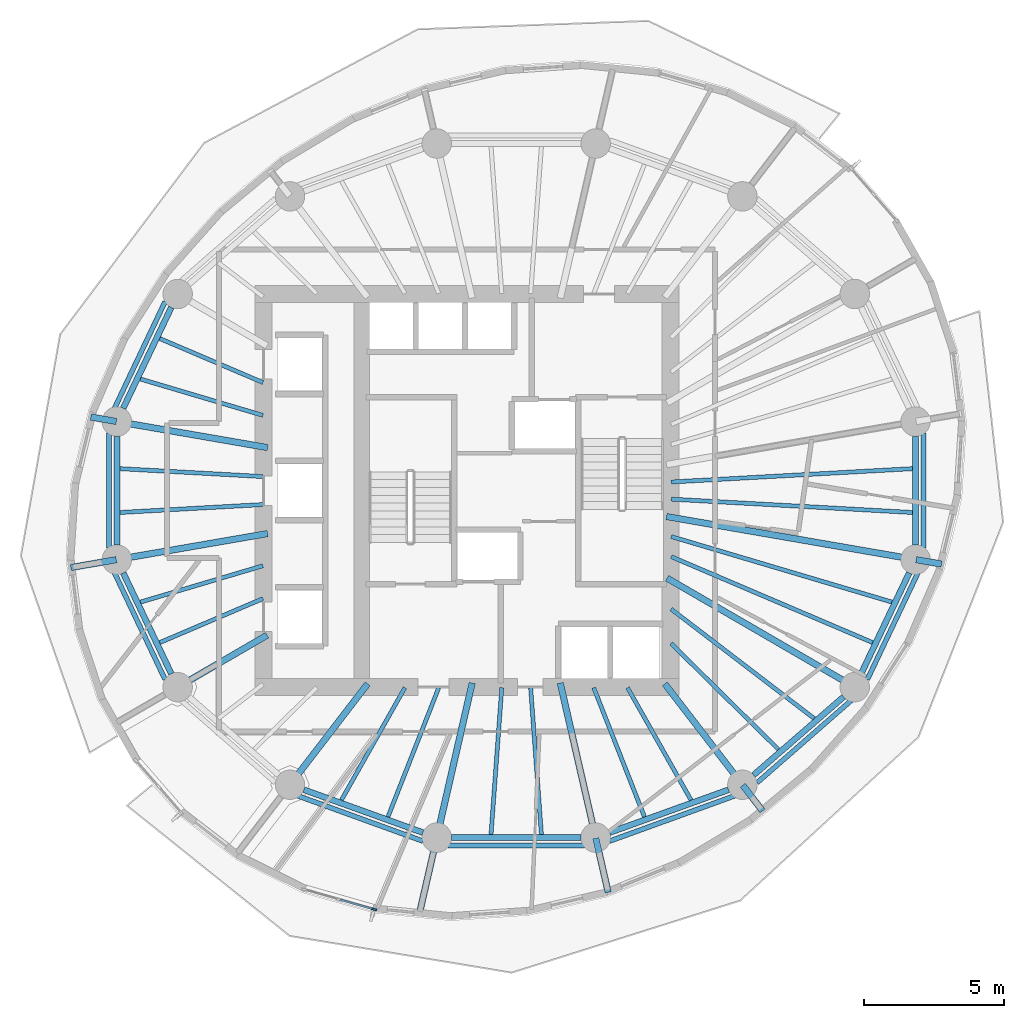
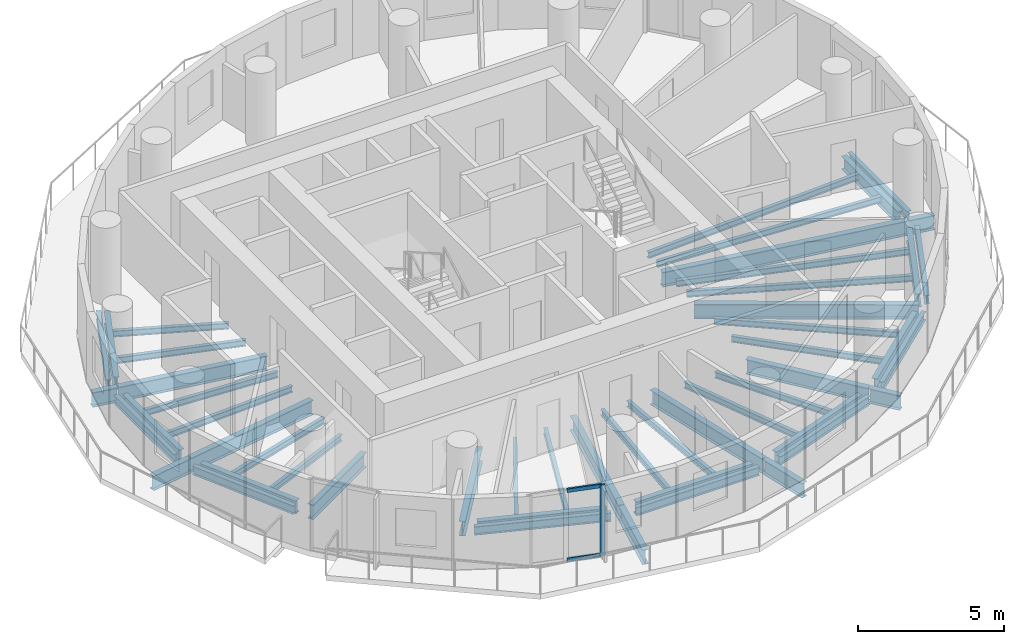
# One storey, part 2 of 12: 51 beams, 3 members, 1 element without a shape of its own.
"""IFC4 building model written with IfcOpenShell, lengths in metres."""

from ifc_helpers import new_model, si_unit, direction, frame, origin, origin_2d, place, context, subcontext, project, spatial, rectangle, i_section, extrude, material, material_profile, profile_set, type_object, element, aggregate, save


model = new_model("IFC4")

# Units and contexts
model_context = context("Model", 3, precision=1e-05, world=origin(), true_north=direction((0.0, 1.0)))
body_context = subcontext(model_context, "Body", "Model", "MODEL_VIEW")
ifc_project = project(units=[si_unit("LENGTHUNIT", "METRE"), si_unit("AREAUNIT", "SQUARE_METRE"), si_unit("VOLUMEUNIT", "CUBIC_METRE"), si_unit("PLANEANGLEUNIT", "RADIAN"), si_unit("MASSUNIT", "GRAM", prefix="KILO")], contexts=[model_context])

# Site, building, storey
site_placement = place(None, origin())
site = spatial("IfcSite", under=ifc_project, at=site_placement, CompositionType="ELEMENT")
building_placement = place(site_placement, origin())
building = spatial("IfcBuilding", under=site, at=building_placement, Name="Veldorim Arch Residences", CompositionType="ELEMENT")
storey_placement = place(building_placement, frame((0.0, 0.0, 148.9599609375)))
storey = spatial("IfcBuildingStorey", under=building, at=storey_placement, Name="L44", CompositionType="ELEMENT", Elevation=148.9599609375)

# Beams
ifc_material_1 = material(Name="Steel S355", Category="steel")
ifc_material_profile_1 = material_profile(ifc_material_1, i_section(OverallWidth=0.2099609375, OverallDepth=0.53662109375, WebThickness=0.0107421875, FlangeThickness=0.017333984375, at=origin_2d()), Name="UB533x210x101")
ifc_profile_set_1 = profile_set([ifc_material_profile_1], Name="Steel S355")
beam_type_1 = type_object("IfcBeamType", Name="Structural Steel Beam UB533x210x101", PredefinedType="BEAM", material=ifc_profile_set_1)
beam_1_placement = place(storey_placement, frame((19.7177734375, 30.5263671875, -0.50830078125), z_axis=(-0.43028577851, -0.902692721147, 0.0), x_axis=(0.902692721147, -0.43028577851, 0.0)))
element("IfcBeam", 1, at=beam_1_placement, inside=storey, type_object=beam_type_1, Name="L44 perimeter ring tie beam 07", PredefinedType="BEAM", context=body_context, shape_type="SweptSolid", body=[
    extrude(i_section(OverallWidth=0.2099609375, OverallDepth=0.53662109375, WebThickness=0.0107421875, FlangeThickness=0.017333984375, at=origin_2d()), origin(), (0.0, 0.0, 1.0), 3.98193359375),
])
beam_2_placement = place(storey_placement, frame((17.778564453125, 25.93310546875, -0.50830078125), z_axis=(0.0, -1.0, 0.0), x_axis=(1.0, 0.0, 0.0)))
element("IfcBeam", 2, at=beam_2_placement, inside=storey, type_object=beam_type_1, Name="L44 perimeter ring tie beam 08", PredefinedType="BEAM", context=body_context, shape_type="SweptSolid", body=[
    extrude(i_section(OverallWidth=0.2099609375, OverallDepth=0.53662109375, WebThickness=0.0107421875, FlangeThickness=0.017333984375, at=origin_2d()), origin(), (0.0, 0.0, 1.0), 3.8662109375),
])
beam_3_placement = place(storey_placement, frame((18.00439453125, 21.068115234375, -0.50830078125), z_axis=(0.43028577851, -0.902692721147, 0.0), x_axis=(0.902692721147, 0.43028577851, 0.0)))
element("IfcBeam", 3, at=beam_3_placement, inside=storey, type_object=beam_type_1, Name="L44 perimeter ring tie beam 09", PredefinedType="BEAM", context=body_context, shape_type="SweptSolid", body=[
    extrude(i_section(OverallWidth=0.2099609375, OverallDepth=0.53662109375, WebThickness=0.0107421875, FlangeThickness=0.017333984375, at=origin_2d()), origin(), (0.0, 0.0, 1.0), 3.98193359375),
])
beam_4_placement = place(storey_placement, frame((24.438232421875, 13.345703125, -0.50830078125), z_axis=(0.940899155006, -0.338686846673, 0.0), x_axis=(0.338686846673, 0.940899155006, 0.0)))
element("IfcBeam", 4, at=beam_4_placement, inside=storey, type_object=beam_type_1, Name="L44 perimeter ring tie beam 11", PredefinedType="BEAM", context=body_context, shape_type="SweptSolid", body=[
    extrude(i_section(OverallWidth=0.2099609375, OverallDepth=0.53662109375, WebThickness=0.0107421875, FlangeThickness=0.017333984375, at=origin_2d()), origin(), (0.0, 0.0, 1.0), 4.50537109375),
])
beam_5_placement = place(storey_placement, frame((29.6962890625, 11.64208984375, -0.50830078125), z_axis=(1.0, 0.0, 0.0), x_axis=(0.0, 1.0, 0.0)))
element("IfcBeam", 5, at=beam_5_placement, inside=storey, type_object=beam_type_1, Name="L44 perimeter ring tie beam 12", PredefinedType="BEAM", context=body_context, shape_type="SweptSolid", body=[
    extrude(i_section(OverallWidth=0.2099609375, OverallDepth=0.53662109375, WebThickness=0.0107421875, FlangeThickness=0.017333984375, at=origin_2d()), origin(), (0.0, 0.0, 1.0), 4.607421875),
])
beam_6_placement = place(storey_placement, frame((35.32275390625, 11.81982421875, -0.50830078125), z_axis=(0.940899155006, 0.338686846673, 0.0), x_axis=(-0.338686846673, 0.940899155006, 0.0)))
element("IfcBeam", 6, at=beam_6_placement, inside=storey, type_object=beam_type_1, Name="L44 perimeter ring tie beam 13", PredefinedType="BEAM", context=body_context, shape_type="SweptSolid", body=[
    extrude(i_section(OverallWidth=0.2099609375, OverallDepth=0.53662109375, WebThickness=0.0107421875, FlangeThickness=0.017333984375, at=origin_2d()), origin(), (0.0, 0.0, 1.0), 4.50537109375),
])
beam_7_placement = place(storey_placement, frame((40.4521484375, 13.867919921875, -0.50830078125), z_axis=(0.754810789581, 0.655942582802, 0.0), x_axis=(-0.655942582802, 0.754810789581, 0.0)))
element("IfcBeam", 7, at=beam_7_placement, inside=storey, type_object=beam_type_1, Name="L44 perimeter ring tie beam 14", PredefinedType="BEAM", context=body_context, shape_type="SweptSolid", body=[
    extrude(i_section(OverallWidth=0.2099609375, OverallDepth=0.53662109375, WebThickness=0.0107421875, FlangeThickness=0.017333984375, at=origin_2d()), origin(), (0.0, 0.0, 1.0), 4.249755859375),
])
beam_8_placement = place(storey_placement, frame((44.2822265625, 17.4736328125, -0.50830078125), z_axis=(0.43028577851, 0.902692721147, 0.0), x_axis=(-0.902692721147, 0.43028577851, 0.0)))
element("IfcBeam", 8, at=beam_8_placement, inside=storey, type_object=beam_type_1, Name="L44 perimeter ring tie beam 15", PredefinedType="BEAM", context=body_context, shape_type="SweptSolid", body=[
    extrude(i_section(OverallWidth=0.2099609375, OverallDepth=0.53662109375, WebThickness=0.0107421875, FlangeThickness=0.017333984375, at=origin_2d()), origin(), (0.0, 0.0, 1.0), 3.98193359375),
])
beam_9_placement = place(storey_placement, frame((46.221435546875, 22.06689453125, -0.50830078125), z_axis=(0.0, 1.0, 0.0), x_axis=(-1.0, 0.0, 0.0)))
element("IfcBeam", 9, at=beam_9_placement, inside=storey, type_object=beam_type_1, Name="L44 perimeter ring tie beam 16", PredefinedType="BEAM", context=body_context, shape_type="SweptSolid", body=[
    extrude(i_section(OverallWidth=0.2099609375, OverallDepth=0.53662109375, WebThickness=0.0107421875, FlangeThickness=0.017333984375, at=origin_2d()), origin(), (0.0, 0.0, 1.0), 3.8662109375),
])
ifc_material_2 = material(Name="Steel S355", Category="steel")
ifc_material_profile_2 = material_profile(ifc_material_2, i_section(OverallWidth=0.22900390625, OverallDepth=0.6123046875, WebThickness=0.011962890625, FlangeThickness=0.01953125, at=origin_2d()), Name="UB610x229x125")
ifc_profile_set_2 = profile_set([ifc_material_profile_2], Name="Steel S355")
beam_type_2 = type_object("IfcBeamType", Name="Structural Steel Beam UB610x229x125", PredefinedType="BEAM", material=ifc_profile_set_2)
beam_10_placement = place(storey_placement, frame((23.147705078125, 25.530029296875, -0.546142578125), z_axis=(-0.985390445301, 0.170310511449, 0.0), x_axis=(-0.170310511449, -0.985390445301, 0.0)))
element("IfcBeam", 10, at=beam_10_placement, inside=storey, type_object=beam_type_2, Name="L44 radial floor girder 08", PredefinedType="BEAM", context=body_context, shape_type="SweptSolid", body=[
    extrude(i_section(OverallWidth=0.22900390625, OverallDepth=0.6123046875, WebThickness=0.011962890625, FlangeThickness=0.01953125, at=origin_2d()), origin(), (0.0, 0.0, 1.0), 5.4287109375),
])
beam_11_placement = place(storey_placement, frame((17.7587890625, 26.46142578125, -0.546142578125), z_axis=(-0.985365065933, 0.170457287435, 0.0), x_axis=(-0.170457287435, -0.985365065933, 0.0)))
element("IfcBeam", 11, at=beam_11_placement, inside=storey, type_object=beam_type_2, Name="L44 radial edge cantilever girder 08", PredefinedType="BEAM", context=body_context, shape_type="SweptSolid", body=[
    extrude(i_section(OverallWidth=0.22900390625, OverallDepth=0.6123046875, WebThickness=0.011962890625, FlangeThickness=0.01953125, at=origin_2d()), origin(), (0.0, 0.0, 1.0), 0.9208984375),
])
beam_12_placement = place(storey_placement, frame((23.147705078125, 22.469970703125, -0.546142578125), z_axis=(-0.985390445301, -0.170310511449, 0.0), x_axis=(0.170310511449, -0.985390445301, 0.0)))
element("IfcBeam", 12, at=beam_12_placement, inside=storey, type_object=beam_type_2, Name="L44 radial floor girder 09", PredefinedType="BEAM", context=body_context, shape_type="SweptSolid", body=[
    extrude(i_section(OverallWidth=0.22900390625, OverallDepth=0.6123046875, WebThickness=0.011962890625, FlangeThickness=0.01953125, at=origin_2d()), origin(), (0.0, 0.0, 1.0), 5.4287109375),
])
beam_13_placement = place(storey_placement, frame((17.7587890625, 21.53857421875, -0.546142578125), z_axis=(-0.985387945346, -0.170324975168, 0.0), x_axis=(0.170324975168, -0.985387945346, 0.0)))
element("IfcBeam", 13, at=beam_13_placement, inside=storey, type_object=beam_type_2, Name="L44 radial edge cantilever girder 09", PredefinedType="BEAM", context=body_context, shape_type="SweptSolid", body=[
    extrude(i_section(OverallWidth=0.22900390625, OverallDepth=0.6123046875, WebThickness=0.011962890625, FlangeThickness=0.01953125, at=origin_2d()), origin(), (0.0, 0.0, 1.0), 1.642578125),
])
beam_14_placement = place(storey_placement, frame((23.129638671875, 18.849609375, -0.546142578125), z_axis=(-0.864794546612, -0.502125872815, 0.0), x_axis=(0.502125872815, -0.864794546612, 0.0)))
element("IfcBeam", 14, at=beam_14_placement, inside=storey, type_object=beam_type_2, Name="L44 radial floor girder 10", PredefinedType="BEAM", context=body_context, shape_type="SweptSolid", body=[
    extrude(i_section(OverallWidth=0.22900390625, OverallDepth=0.6123046875, WebThickness=0.011962890625, FlangeThickness=0.01953125, at=origin_2d()), origin(), (0.0, 0.0, 1.0), 3.6640625),
])
beam_15_placement = place(storey_placement, frame((26.708740234375, 17.118896484375, -0.546142578125), z_axis=(-0.609559199361, -0.792740551804, 0.0), x_axis=(0.792740551804, -0.609559199361, 0.0)))
element("IfcBeam", 15, at=beam_15_placement, inside=storey, type_object=beam_type_2, Name="L44 radial floor girder 11", PredefinedType="BEAM", context=body_context, shape_type="SweptSolid", body=[
    extrude(i_section(OverallWidth=0.22900390625, OverallDepth=0.6123046875, WebThickness=0.011962890625, FlangeThickness=0.01953125, at=origin_2d()), origin(), (0.0, 0.0, 1.0), 4.515380859375),
])
beam_16_placement = place(storey_placement, frame((30.43115234375, 17.146240234375, -0.546142578125), z_axis=(-0.223119342184, -0.974791136164, 0.0), x_axis=(0.974791136164, -0.223119342184, 0.0)))
element("IfcBeam", 16, at=beam_16_placement, inside=storey, type_object=beam_type_2, Name="L44 radial floor girder 12", PredefinedType="BEAM", context=body_context, shape_type="SweptSolid", body=[
    extrude(i_section(OverallWidth=0.22900390625, OverallDepth=0.6123046875, WebThickness=0.011962890625, FlangeThickness=0.01953125, at=origin_2d()), origin(), (0.0, 0.0, 1.0), 5.62646484375),
])
beam_17_placement = place(storey_placement, frame((29.166748046875, 11.62255859375, -0.546142578125), z_axis=(-0.223160890879, -0.974781625177, 0.0), x_axis=(0.974781625177, -0.223160890879, 0.0)))
element("IfcBeam", 17, at=beam_17_placement, inside=storey, type_object=beam_type_2, Name="L44 radial edge cantilever girder 12", PredefinedType="BEAM", context=body_context, shape_type="SweptSolid", body=[
    extrude(i_section(OverallWidth=0.22900390625, OverallDepth=0.6123046875, WebThickness=0.011962890625, FlangeThickness=0.01953125, at=origin_2d()), origin(), (0.0, 0.0, 1.0), 2.76123046875),
])
beam_18_placement = place(storey_placement, frame((33.56884765625, 17.146240234375, -0.546142578125), z_axis=(0.223119342184, -0.974791136164, 0.0), x_axis=(0.974791136164, 0.223119342184, 0.0)))
element("IfcBeam", 18, at=beam_18_placement, inside=storey, type_object=beam_type_2, Name="L44 radial floor girder 13", PredefinedType="BEAM", context=body_context, shape_type="SweptSolid", body=[
    extrude(i_section(OverallWidth=0.22900390625, OverallDepth=0.6123046875, WebThickness=0.011962890625, FlangeThickness=0.01953125, at=origin_2d()), origin(), (0.0, 0.0, 1.0), 5.62646484375),
])
beam_19_placement = place(storey_placement, frame((34.833251953125, 11.62255859375, -0.546142578125), z_axis=(0.223166267833, -0.974780394192, 0.0), x_axis=(0.974780394192, 0.223166267833, 0.0)))
element("IfcBeam", 19, at=beam_19_placement, inside=storey, type_object=beam_type_2, Name="L44 radial edge cantilever girder 13", PredefinedType="BEAM", context=body_context, shape_type="SweptSolid", body=[
    extrude(i_section(OverallWidth=0.22900390625, OverallDepth=0.6123046875, WebThickness=0.011962890625, FlangeThickness=0.01953125, at=origin_2d()), origin(), (0.0, 0.0, 1.0), 1.980224609375),
])
beam_20_placement = place(storey_placement, frame((37.291259765625, 17.118896484375, -0.546142578125), z_axis=(0.609559199361, -0.792740551804, 0.0), x_axis=(0.792740551804, 0.609559199361, 0.0)))
element("IfcBeam", 20, at=beam_20_placement, inside=storey, type_object=beam_type_2, Name="L44 radial floor girder 14", PredefinedType="BEAM", context=body_context, shape_type="SweptSolid", body=[
    extrude(i_section(OverallWidth=0.22900390625, OverallDepth=0.6123046875, WebThickness=0.011962890625, FlangeThickness=0.01953125, at=origin_2d()), origin(), (0.0, 0.0, 1.0), 4.515380859375),
])
beam_21_placement = place(storey_placement, frame((40.068115234375, 13.507568359375, -0.546142578125), z_axis=(0.609587834317, -0.792718532805, 0.0), x_axis=(0.792718532805, 0.609587834317, 0.0)))
element("IfcBeam", 21, at=beam_21_placement, inside=storey, type_object=beam_type_2, Name="L44 radial edge cantilever girder 14", PredefinedType="BEAM", context=body_context, shape_type="SweptSolid", body=[
    extrude(i_section(OverallWidth=0.22900390625, OverallDepth=0.6123046875, WebThickness=0.011962890625, FlangeThickness=0.01953125, at=origin_2d()), origin(), (0.0, 0.0, 1.0), 1.15185546875),
])
beam_22_placement = place(storey_placement, frame((37.370361328125, 20.8818359375, -0.546142578125), z_axis=(0.864793381443, -0.502127879542, 0.0), x_axis=(0.502127879542, 0.864793381443, 0.0)))
element("IfcBeam", 22, at=beam_22_placement, inside=storey, type_object=beam_type_2, Name="L44 radial floor girder 15", PredefinedType="BEAM", context=body_context, shape_type="SweptSolid", body=[
    extrude(i_section(OverallWidth=0.22900390625, OverallDepth=0.6123046875, WebThickness=0.011962890625, FlangeThickness=0.01953125, at=origin_2d()), origin(), (0.0, 0.0, 1.0), 7.71142578125),
])
beam_23_placement = place(storey_placement, frame((37.352294921875, 23.074951171875, -0.546142578125), z_axis=(0.985389398766, -0.170316566427, 0.0), x_axis=(0.170316566427, 0.985389398766, 0.0)))
element("IfcBeam", 23, at=beam_23_placement, inside=storey, type_object=beam_type_2, Name="L44 radial floor girder 16", PredefinedType="BEAM", context=body_context, shape_type="SweptSolid", body=[
    extrude(i_section(OverallWidth=0.22900390625, OverallDepth=0.6123046875, WebThickness=0.011962890625, FlangeThickness=0.01953125, at=origin_2d()), origin(), (0.0, 0.0, 1.0), 8.98046875),
])
beam_24_placement = place(storey_placement, frame((46.2412109375, 21.53857421875, -0.546142578125), z_axis=(0.985365065933, -0.170457287435, 0.0), x_axis=(0.170457287435, 0.985365065933, 0.0)))
element("IfcBeam", 24, at=beam_24_placement, inside=storey, type_object=beam_type_2, Name="L44 radial edge cantilever girder 16", PredefinedType="BEAM", context=body_context, shape_type="SweptSolid", body=[
    extrude(i_section(OverallWidth=0.22900390625, OverallDepth=0.6123046875, WebThickness=0.011962890625, FlangeThickness=0.01953125, at=origin_2d()), origin(), (0.0, 0.0, 1.0), 0.9208984375),
])
ifc_material_3 = material(Name="Steel S355", Category="steel")
ifc_material_profile_3 = material_profile(ifc_material_3, i_section(OverallWidth=0.146484375, OverallDepth=0.256103515625, WebThickness=0.00634765625, FlangeThickness=0.010986328125, at=origin_2d()), Name="UB254x146x37")
ifc_profile_set_3 = profile_set([ifc_material_profile_3], Name="Steel S355")
beam_type_3 = type_object("IfcBeamType", Name="Structural Steel Joist UB254x146x37", PredefinedType="JOIST", material=ifc_profile_set_3)
beam_25_placement = place(storey_placement, frame((22.981689453125, 27.84619140625, -0.367919921875), z_axis=(-0.919823469329, 0.392332493265, 0.0), x_axis=(-0.392332493265, -0.919823469329, 0.0)))
element("IfcBeam", 25, at=beam_25_placement, inside=storey, type_object=beam_type_3, Name="L44 secondary radial floor joist 07-1", PredefinedType="JOIST", context=body_context, shape_type="SweptSolid", body=[
    extrude(i_section(OverallWidth=0.146484375, OverallDepth=0.256103515625, WebThickness=0.00634765625, FlangeThickness=0.010986328125, at=origin_2d()), origin(), (0.0, 0.0, 1.0), 3.993896484375),
])
beam_26_placement = place(storey_placement, frame((22.980712890625, 26.677001953125, -0.367919921875), z_axis=(-0.95868163277, 0.284481154014, 0.0), x_axis=(-0.284481154014, -0.95868163277, 0.0)))
element("IfcBeam", 26, at=beam_26_placement, inside=storey, type_object=beam_type_3, Name="L44 secondary radial floor joist 07-2", PredefinedType="JOIST", context=body_context, shape_type="SweptSolid", body=[
    extrude(i_section(OverallWidth=0.146484375, OverallDepth=0.256103515625, WebThickness=0.00634765625, FlangeThickness=0.010986328125, at=origin_2d()), origin(), (0.0, 0.0, 1.0), 4.54931640625),
])
for number, where, z_axis, x_axis, name in (
    (27, (22.97998046875, 24.498779296875, -0.367919921875), (-0.998472994317, 0.055242009562, 0.0), (-0.055242009562, -0.998472994317, 0.0), "L44 secondary radial floor joist 08-1"),
    (28, (22.97998046875, 23.501220703125, -0.367919921875), (-0.998472994317, -0.055242009562, 0.0), (0.055242009562, -0.998472994317, 0.0), "L44 secondary radial floor joist 08-2"),
):
    element("IfcBeam", number, at=place(storey_placement, frame(where, z_axis=z_axis, x_axis=x_axis)), inside=storey, type_object=beam_type_3, Name=name, PredefinedType="JOIST", context=body_context, shape_type="SweptSolid", body=[
        extrude(i_section(OverallWidth=0.146484375, OverallDepth=0.256103515625, WebThickness=0.00634765625, FlangeThickness=0.010986328125, at=origin_2d()), origin(), (0.0, 0.0, 1.0), 5.10009765625),
    ])
beam_27_placement = place(storey_placement, frame((22.980712890625, 21.322998046875, -0.367919921875), z_axis=(-0.95868163277, -0.284481154014, 0.0), x_axis=(0.284481154014, -0.95868163277, 0.0)))
element("IfcBeam", 29, at=beam_27_placement, inside=storey, type_object=beam_type_3, Name="L44 secondary radial floor joist 09-1", PredefinedType="JOIST", context=body_context, shape_type="SweptSolid", body=[
    extrude(i_section(OverallWidth=0.146484375, OverallDepth=0.256103515625, WebThickness=0.00634765625, FlangeThickness=0.010986328125, at=origin_2d()), origin(), (0.0, 0.0, 1.0), 4.54931640625),
])
beam_28_placement = place(storey_placement, frame((22.981689453125, 20.15380859375, -0.367919921875), z_axis=(-0.919823469329, -0.392332493265, 0.0), x_axis=(0.392332493265, -0.919823469329, 0.0)))
element("IfcBeam", 30, at=beam_28_placement, inside=storey, type_object=beam_type_3, Name="L44 secondary radial floor joist 09-2", PredefinedType="JOIST", context=body_context, shape_type="SweptSolid", body=[
    extrude(i_section(OverallWidth=0.146484375, OverallDepth=0.256103515625, WebThickness=0.00634765625, FlangeThickness=0.010986328125, at=origin_2d()), origin(), (0.0, 0.0, 1.0), 3.993896484375),
])
beam_29_placement = place(storey_placement, frame((28.03662109375, 16.982666015625, -0.367919921875), z_axis=(-0.491815801586, -0.870699269157, 0.0), x_axis=(0.870699269157, -0.491815801586, 0.0)))
element("IfcBeam", 31, at=beam_29_placement, inside=storey, type_object=beam_type_3, Name="L44 secondary radial floor joist 11-1", PredefinedType="JOIST", context=body_context, shape_type="SweptSolid", body=[
    extrude(i_section(OverallWidth=0.146484375, OverallDepth=0.256103515625, WebThickness=0.00634765625, FlangeThickness=0.010986328125, at=origin_2d()), origin(), (0.0, 0.0, 1.0), 4.59814453125),
])
beam_30_placement = place(storey_placement, frame((29.2412109375, 16.9814453125, -0.367919921875), z_axis=(-0.365777738491, -0.930702232739, 0.0), x_axis=(0.930702232739, -0.365777738491, 0.0)))
element("IfcBeam", 32, at=beam_30_placement, inside=storey, type_object=beam_type_3, Name="L44 secondary radial floor joist 11-2", PredefinedType="JOIST", context=body_context, shape_type="SweptSolid", body=[
    extrude(i_section(OverallWidth=0.146484375, OverallDepth=0.256103515625, WebThickness=0.00634765625, FlangeThickness=0.010986328125, at=origin_2d()), origin(), (0.0, 0.0, 1.0), 4.9404296875),
])
for number, where, z_axis, x_axis, name in (
    (33, (31.48583984375, 16.97998046875, -0.367919921875), (-0.073060364166, -0.997327520521, 0.0), (0.997327520521, -0.073060364166, 0.0), "L44 secondary radial floor joist 12-1"),
    (34, (32.51416015625, 16.97998046875, -0.367919921875), (0.073060364166, -0.997327520521, 0.0), (0.997327520521, 0.073060364166, 0.0), "L44 secondary radial floor joist 12-2"),
):
    element("IfcBeam", number, at=place(storey_placement, frame(where, z_axis=z_axis, x_axis=x_axis)), inside=storey, type_object=beam_type_3, Name=name, PredefinedType="JOIST", context=body_context, shape_type="SweptSolid", body=[
        extrude(i_section(OverallWidth=0.146484375, OverallDepth=0.256103515625, WebThickness=0.00634765625, FlangeThickness=0.010986328125, at=origin_2d()), origin(), (0.0, 0.0, 1.0), 5.242919921875),
    ])
beam_31_placement = place(storey_placement, frame((34.7587890625, 16.9814453125, -0.367919921875), z_axis=(0.365777738491, -0.930702232739, 0.0), x_axis=(0.930702232739, 0.365777738491, 0.0)))
element("IfcBeam", 35, at=beam_31_placement, inside=storey, type_object=beam_type_3, Name="L44 secondary radial floor joist 13-1", PredefinedType="JOIST", context=body_context, shape_type="SweptSolid", body=[
    extrude(i_section(OverallWidth=0.146484375, OverallDepth=0.256103515625, WebThickness=0.00634765625, FlangeThickness=0.010986328125, at=origin_2d()), origin(), (0.0, 0.0, 1.0), 4.9404296875),
])
beam_32_placement = place(storey_placement, frame((35.96337890625, 16.982666015625, -0.367919921875), z_axis=(0.491815801586, -0.870699269157, 0.0), x_axis=(0.870699269157, 0.491815801586, 0.0)))
element("IfcBeam", 36, at=beam_32_placement, inside=storey, type_object=beam_type_3, Name="L44 secondary radial floor joist 13-2", PredefinedType="JOIST", context=body_context, shape_type="SweptSolid", body=[
    extrude(i_section(OverallWidth=0.146484375, OverallDepth=0.256103515625, WebThickness=0.00634765625, FlangeThickness=0.010986328125, at=origin_2d()), origin(), (0.0, 0.0, 1.0), 4.59814453125),
])
beam_33_placement = place(storey_placement, frame((37.51416015625, 18.556884765625, -0.367919921875), z_axis=(0.711703457158, -0.702480027523, 0.0), x_axis=(0.702480027523, 0.711703457158, 0.0)))
element("IfcBeam", 37, at=beam_33_placement, inside=storey, type_object=beam_type_3, Name="L44 secondary radial floor joist 14-1", PredefinedType="JOIST", context=body_context, shape_type="SweptSolid", body=[
    extrude(i_section(OverallWidth=0.146484375, OverallDepth=0.256103515625, WebThickness=0.00634765625, FlangeThickness=0.010986328125, at=origin_2d()), origin(), (0.0, 0.0, 1.0), 5.373291015625),
])
beam_34_placement = place(storey_placement, frame((37.515869140625, 19.780517578125, -0.367919921875), z_axis=(0.794267053144, -0.607568801281, 0.0), x_axis=(0.607568801281, 0.794267053144, 0.0)))
element("IfcBeam", 38, at=beam_34_placement, inside=storey, type_object=beam_type_3, Name="L44 secondary radial floor joist 14-2", PredefinedType="JOIST", context=body_context, shape_type="SweptSolid", body=[
    extrude(i_section(OverallWidth=0.146484375, OverallDepth=0.256103515625, WebThickness=0.00634765625, FlangeThickness=0.010986328125, at=origin_2d()), origin(), (0.0, 0.0, 1.0), 6.412841796875),
])
beam_35_placement = place(storey_placement, frame((37.518310546875, 21.646484375, -0.367919921875), z_axis=(0.919831795434, -0.39231297214, 0.0), x_axis=(0.39231297214, 0.919831795434, 0.0)))
element("IfcBeam", 39, at=beam_35_placement, inside=storey, type_object=beam_type_3, Name="L44 secondary radial floor joist 15-1", PredefinedType="JOIST", context=body_context, shape_type="SweptSolid", body=[
    extrude(i_section(OverallWidth=0.146484375, OverallDepth=0.256103515625, WebThickness=0.00634765625, FlangeThickness=0.010986328125, at=origin_2d()), origin(), (0.0, 0.0, 1.0), 7.798828125),
])
beam_36_placement = place(storey_placement, frame((37.519287109375, 22.36181640625, -0.367919921875), z_axis=(0.958674276305, -0.284505943614, 0.0), x_axis=(0.284505943614, 0.958674276305, 0.0)))
element("IfcBeam", 40, at=beam_36_placement, inside=storey, type_object=beam_type_3, Name="L44 secondary radial floor joist 15-2", PredefinedType="JOIST", context=body_context, shape_type="SweptSolid", body=[
    extrude(i_section(OverallWidth=0.146484375, OverallDepth=0.256103515625, WebThickness=0.00634765625, FlangeThickness=0.010986328125, at=origin_2d()), origin(), (0.0, 0.0, 1.0), 8.2001953125),
])
for number, where, z_axis, x_axis, name in (
    (41, (37.52001953125, 23.694580078125, -0.367919921875), (0.998474809964, -0.055209182821, 0.0), (0.055209182821, 0.998474809964, 0.0), "L44 secondary radial floor joist 16-1"),
    (42, (37.52001953125, 24.305419921875, -0.367919921875), (0.998474809964, 0.055209182821, 0.0), (-0.055209182821, 0.998474809964, 0.0), "L44 secondary radial floor joist 16-2"),
):
    element("IfcBeam", number, at=place(storey_placement, frame(where, z_axis=z_axis, x_axis=x_axis)), inside=storey, type_object=beam_type_3, Name=name, PredefinedType="JOIST", context=body_context, shape_type="SweptSolid", body=[
        extrude(i_section(OverallWidth=0.146484375, OverallDepth=0.256103515625, WebThickness=0.00634765625, FlangeThickness=0.010986328125, at=origin_2d()), origin(), (0.0, 0.0, 1.0), 8.60546875),
    ])
ifc_material_4 = material(Name="Steel S355", Category="steel")
ifc_material_profile_4 = material_profile(ifc_material_4, i_section(OverallWidth=0.172119140625, OverallDepth=0.35791015625, WebThickness=0.008056640625, FlangeThickness=0.012939453125, at=origin_2d()), Name="UB356x171x57")
ifc_profile_set_4 = profile_set([ifc_material_profile_4], Name="Steel S355")
beam_type_4 = type_object("IfcBeamType", Name="Structural Steel Spandrel UB356x171x57", PredefinedType="SPANDREL", material=ifc_profile_set_4)
beam_37_placement = place(storey_placement, frame((19.49609375, 30.727783203125, -0.43896484375), z_axis=(-0.428579957662, -0.903503857153, 0.0), x_axis=(0.903503857153, -0.428579957662, 0.0)))
element("IfcBeam", 43, at=beam_37_placement, inside=storey, type_object=beam_type_4, Name="L44 perimeter chord spandrel beam 07", PredefinedType="SPANDREL", context=body_context, shape_type="SweptSolid", body=[
    extrude(i_section(OverallWidth=0.172119140625, OverallDepth=0.35791015625, WebThickness=0.008056640625, FlangeThickness=0.012939453125, at=origin_2d()), origin(), (0.0, 0.0, 1.0), 4.209228515625),
])
beam_38_placement = place(storey_placement, frame((17.494140625, 26.04541015625, -0.43896484375), z_axis=(0.0, -1.0, 0.0), x_axis=(1.0, 0.0, 0.0)))
element("IfcBeam", 44, at=beam_38_placement, inside=storey, type_object=beam_type_4, Name="L44 perimeter chord spandrel beam 08", PredefinedType="SPANDREL", context=body_context, shape_type="SweptSolid", body=[
    extrude(i_section(OverallWidth=0.172119140625, OverallDepth=0.35791015625, WebThickness=0.008056640625, FlangeThickness=0.012939453125, at=origin_2d()), origin(), (0.0, 0.0, 1.0), 4.0908203125),
])
beam_39_placement = place(storey_placement, frame((17.692138671875, 21.0751953125, -0.43896484375), z_axis=(0.428579957662, -0.903503857153, 0.0), x_axis=(0.903503857153, 0.428579957662, 0.0)))
element("IfcBeam", 45, at=beam_39_placement, inside=storey, type_object=beam_type_4, Name="L44 perimeter chord spandrel beam 09", PredefinedType="SPANDREL", context=body_context, shape_type="SweptSolid", body=[
    extrude(i_section(OverallWidth=0.172119140625, OverallDepth=0.35791015625, WebThickness=0.008056640625, FlangeThickness=0.012939453125, at=origin_2d()), origin(), (0.0, 0.0, 1.0), 4.209228515625),
])
beam_40_placement = place(storey_placement, frame((24.20263671875, 13.13720703125, -0.43896484375), z_axis=(0.940212553113, -0.340588248429, 0.0), x_axis=(0.340588248429, 0.940212553113, 0.0)))
element("IfcBeam", 46, at=beam_40_placement, inside=storey, type_object=beam_type_4, Name="L44 perimeter chord spandrel beam 11", PredefinedType="SPANDREL", context=body_context, shape_type="SweptSolid", body=[
    extrude(i_section(OverallWidth=0.172119140625, OverallDepth=0.35791015625, WebThickness=0.008056640625, FlangeThickness=0.012939453125, at=origin_2d()), origin(), (0.0, 0.0, 1.0), 4.75390625),
])
beam_41_placement = place(storey_placement, frame((29.56884765625, 11.360595703125, -0.43896484375), z_axis=(1.0, 0.0, 0.0), x_axis=(0.0, 1.0, 0.0)))
element("IfcBeam", 47, at=beam_41_placement, inside=storey, type_object=beam_type_4, Name="L44 perimeter chord spandrel beam 12", PredefinedType="SPANDREL", context=body_context, shape_type="SweptSolid", body=[
    extrude(i_section(OverallWidth=0.172119140625, OverallDepth=0.35791015625, WebThickness=0.008056640625, FlangeThickness=0.012939453125, at=origin_2d()), origin(), (0.0, 0.0, 1.0), 4.8623046875),
])
beam_42_placement = place(storey_placement, frame((35.32763671875, 11.51806640625, -0.43896484375), z_axis=(0.940212553113, 0.340588248429, 0.0), x_axis=(-0.340588248429, 0.940212553113, 0.0)))
element("IfcBeam", 48, at=beam_42_placement, inside=storey, type_object=beam_type_4, Name="L44 perimeter chord spandrel beam 13", PredefinedType="SPANDREL", context=body_context, shape_type="SweptSolid", body=[
    extrude(i_section(OverallWidth=0.172119140625, OverallDepth=0.35791015625, WebThickness=0.008056640625, FlangeThickness=0.012939453125, at=origin_2d()), origin(), (0.0, 0.0, 1.0), 4.75390625),
])
beam_43_placement = place(storey_placement, frame((40.57958984375, 13.5986328125, -0.43896484375), z_axis=(0.753014748982, 0.658003638148, 0.0), x_axis=(-0.658003638148, 0.753014748982, 0.0)))
element("IfcBeam", 49, at=beam_43_placement, inside=storey, type_object=beam_type_4, Name="L44 perimeter chord spandrel beam 14", PredefinedType="SPANDREL", context=body_context, shape_type="SweptSolid", body=[
    extrude(i_section(OverallWidth=0.172119140625, OverallDepth=0.35791015625, WebThickness=0.008056640625, FlangeThickness=0.012939453125, at=origin_2d()), origin(), (0.0, 0.0, 1.0), 4.486572265625),
])
beam_44_placement = place(storey_placement, frame((44.50390625, 17.272216796875, -0.43896484375), z_axis=(0.428579957662, 0.903503857153, 0.0), x_axis=(-0.903503857153, 0.428579957662, 0.0)))
element("IfcBeam", 50, at=beam_44_placement, inside=storey, type_object=beam_type_4, Name="L44 perimeter chord spandrel beam 15", PredefinedType="SPANDREL", context=body_context, shape_type="SweptSolid", body=[
    extrude(i_section(OverallWidth=0.172119140625, OverallDepth=0.35791015625, WebThickness=0.008056640625, FlangeThickness=0.012939453125, at=origin_2d()), origin(), (0.0, 0.0, 1.0), 4.209228515625),
])
beam_45_placement = place(storey_placement, frame((46.505859375, 21.95458984375, -0.43896484375), z_axis=(0.0, 1.0, 0.0), x_axis=(-1.0, 0.0, 0.0)))
element("IfcBeam", 51, at=beam_45_placement, inside=storey, type_object=beam_type_4, Name="L44 perimeter chord spandrel beam 16", PredefinedType="SPANDREL", context=body_context, shape_type="SweptSolid", body=[
    extrude(i_section(OverallWidth=0.172119140625, OverallDepth=0.35791015625, WebThickness=0.008056640625, FlangeThickness=0.012939453125, at=origin_2d()), origin(), (0.0, 0.0, 1.0), 4.0908203125),
])

# Curtain wall, members
ifc_material_5 = material(Name="Aluminium", Category="aluminium")
curtain_wall_type = type_object("IfcCurtainWallType", Name="Zone 3 High-Wind Unitised Curtain Wall", PredefinedType="NOTDEFINED", material=ifc_material_5)
curtain_wall_placement = place(storey_placement, origin())
curtain_wall = element("IfcCurtainWall", 52, at=curtain_wall_placement, inside=storey, type_object=curtain_wall_type, Name="L44 unitised curtain wall bay 22", PredefinedType="NOTDEFINED")
ifc_material_6 = material(Name="Aluminium", Category="aluminium")
ifc_material_profile_5 = material_profile(ifc_material_6, rectangle(XDim=0.070068359375, YDim=0.179931640625, at=origin_2d()), Name="ALU_MUL_70x180")
ifc_profile_set_5 = profile_set([ifc_material_profile_5], Name="Aluminium")
member_type_1 = type_object("IfcMemberType", Name="Zone 3 High-Wind Unitised Curtain Wall Mullion 70x180", PredefinedType="MULLION", material=ifc_profile_set_5)
member_1_placement = place(storey_placement, frame((26.938232421875, 9.088134765625, 0.0), z_axis=(0.0, 0.0, 1.0), x_axis=(-0.273550022991, -0.961857777908, 0.0)))
member_1 = element("IfcMember", 53, at=member_1_placement, type_object=member_type_1, Name="CW-Z3 mullion 1", PredefinedType="MULLION", context=body_context, shape_type="SweptSolid", body=[
    extrude(rectangle(XDim=0.070068359375, YDim=0.179931640625, at=origin_2d()), origin(), (0.0, 0.0, 1.0), 2.9599609375),
])
ifc_material_7 = material(Name="Aluminium", Category="aluminium")
ifc_material_profile_6 = material_profile(ifc_material_7, rectangle(XDim=0.070068359375, YDim=0.155029296875, at=origin_2d()), Name="ALU_TRN_70x155")
ifc_profile_set_6 = profile_set([ifc_material_profile_6], Name="Aluminium")
member_type_2 = type_object("IfcMemberType", Name="Zone 3 High-Wind Unitised Curtain Wall Transom 70x155", PredefinedType="USERDEFINED", material=ifc_profile_set_6)
member_2_placement = place(storey_placement, frame((26.904541015625, 9.09765625, 0.03515625), z_axis=(-0.961838928822, 0.273616291553, 0.0), x_axis=(-0.273616291553, -0.961838928822, 0.0)))
member_2 = element("IfcMember", 54, at=member_2_placement, type_object=member_type_2, Name="CW-Z3 transom 1.1", ObjectType="TRANSOM", PredefinedType="USERDEFINED", context=body_context, shape_type="SweptSolid", body=[
    extrude(rectangle(XDim=0.070068359375, YDim=0.155029296875, at=origin_2d()), origin(), (0.0, 0.0, 1.0), 1.22607421875),
])
member_3_placement = place(storey_placement, frame((26.904541015625, 9.09765625, 2.925048828125), z_axis=(-0.961838928822, 0.273616291553, 0.0), x_axis=(-0.273616291553, -0.961838928822, 0.0)))
member_3 = element("IfcMember", 55, at=member_3_placement, type_object=member_type_2, Name="CW-Z3 transom 1.2", ObjectType="TRANSOM", PredefinedType="USERDEFINED", context=body_context, shape_type="SweptSolid", body=[
    extrude(rectangle(XDim=0.070068359375, YDim=0.155029296875, at=origin_2d()), origin(), (0.0, 0.0, 1.0), 1.22607421875),
])
aggregate(curtain_wall, [member_1, member_2, member_3])

save(model, "model.ifc")
